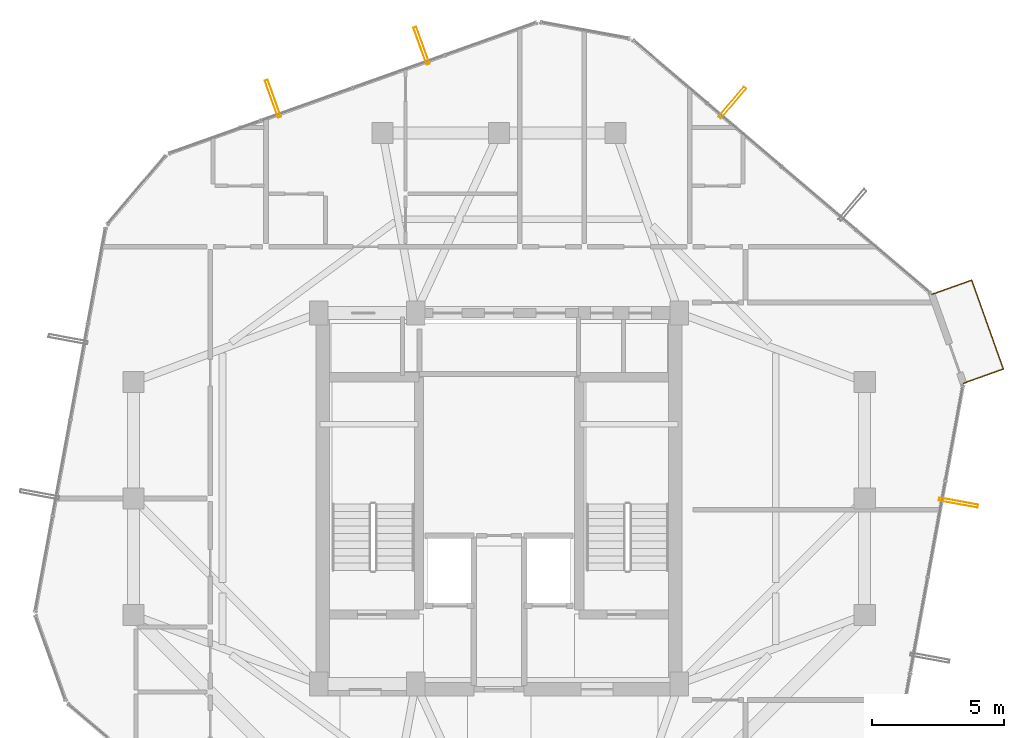
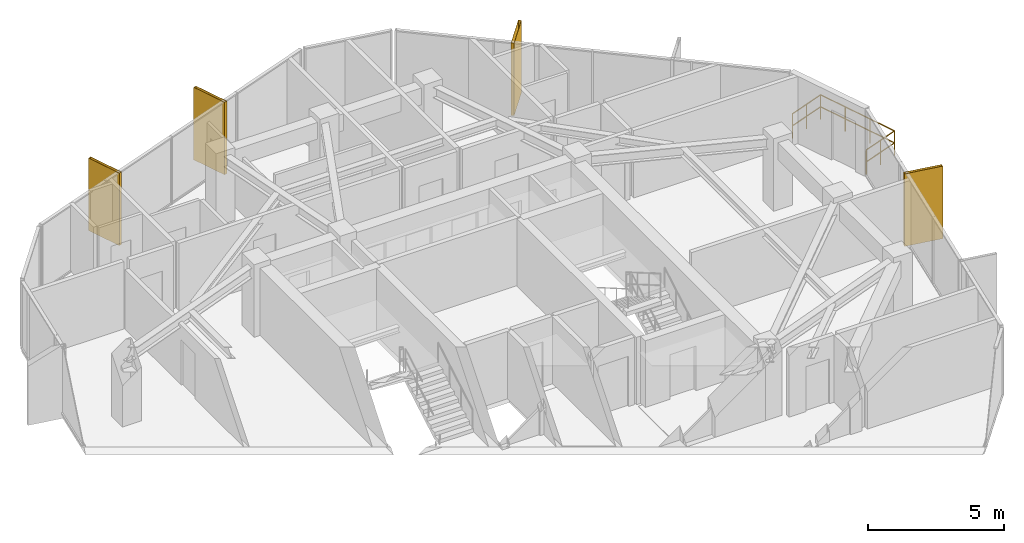
# One storey, part 29 of 29: 4 shading devices, 1 railing.
"""IFC4 building model written with IfcOpenShell, lengths in metres."""

from ifc_helpers import new_model, si_unit, direction, frame, origin, origin_2d, place, context, subcontext, project, spatial, hollow_rectangle, circle, extrude, material, material_profile, profile_set, type_object, element, save


model = new_model("IFC4")

# Units and contexts
model_context = context("Model", 3, precision=1e-05, world=origin(), true_north=direction((0.0, 1.0)))
body_context = subcontext(model_context, "Body", "Model", "MODEL_VIEW")
ifc_project = project(units=[si_unit("LENGTHUNIT", "METRE"), si_unit("AREAUNIT", "SQUARE_METRE"), si_unit("VOLUMEUNIT", "CUBIC_METRE"), si_unit("PLANEANGLEUNIT", "RADIAN"), si_unit("MASSUNIT", "GRAM", prefix="KILO")], contexts=[model_context])

# Site, building, storey
site_placement = place(None, origin())
site = spatial("IfcSite", under=ifc_project, at=site_placement, CompositionType="ELEMENT")
building_placement = place(site_placement, origin())
building = spatial("IfcBuilding", under=site, at=building_placement, Name="Veraguas Prism Commons", CompositionType="ELEMENT")
storey_placement = place(building_placement, frame((0.0, 0.0, 244.75)))
storey = spatial("IfcBuildingStorey", under=building, at=storey_placement, Name="L69", CompositionType="ELEMENT", Elevation=244.75)

# Shading devices
ifc_material_1 = material(Name="Anodised aluminium EN AW-6063 T6", Category="aluminium")
ifc_material_profile = material_profile(ifc_material_1, hollow_rectangle(XDim=0.1201171875, YDim=1.489990234375, WallThickness=0.006103515625, at=origin_2d()), Name="FIN120X1490X6")
ifc_profile_set = profile_set([ifc_material_profile], Name="Anodised aluminium EN AW-6063 T6")
shading_device_type = type_object("IfcShadingDeviceType", Name="Deep Pale-Metal Vertical Solar Fin 120x1490", PredefinedType="USERDEFINED", material=ifc_profile_set)
for number, where, z_axis, x_axis, name in (
    (1, (32.80224609375, 38.936279296875, -0.215087890625), (0.0, 0.0, 1.0), (-0.761538307537, 0.648119901063, 0.0), "Vertical Pale-Metal Solar Fin L69-F1B"),
    (2, (21.075439453125, 41.088623046875, -0.215087890625), (0.0, 0.0, 1.0), (-0.942056281835, -0.335454858149, 0.0), "Vertical Pale-Metal Solar Fin L69-F2A"),
    (3, (15.4658203125, 39.091064453125, -0.215087890625), (0.0, 0.0, 1.0), (-0.942056281835, -0.335454858149, 0.0), "Vertical Pale-Metal Solar Fin L69-F2B"),
    (4, (41.336181640625, 23.84521484375, -0.215087890625), (0.0, 0.0, 1.0), (0.180519145251, 0.983571470813, 0.0), "Vertical Pale-Metal Solar Fin L69-F6B"),
):
    element("IfcShadingDevice", number, at=place(storey_placement, frame(where, z_axis=z_axis, x_axis=x_axis)), inside=storey, type_object=shading_device_type, Name=name, ObjectType="FIN", PredefinedType="USERDEFINED", context=body_context, shape_type="SweptSolid", body=[
        extrude(hollow_rectangle(XDim=0.1201171875, YDim=1.489990234375, WallThickness=0.006103515625, at=origin_2d()), origin(), (0.0, 0.0, 1.0), 3.25),
    ])

# Railing
ifc_material_2 = material(Name="Stainless steel AISI 316", Category="steel")
railing_type = type_object("IfcRailingType", Name="Loggia and Sky Pool Glazed Balustrade 1120", PredefinedType="BALUSTRADE", material=ifc_material_2)
railing_placement = place(storey_placement, frame((41.52783203125, 28.3505859375, 0.0)))
element("IfcRailing", 5, at=railing_placement, inside=storey, type_object=railing_type, Name="Recessed Corner Loggia L69-C1 Guard", PredefinedType="BALUSTRADE", context=body_context, shape_type="SweptSolid", body=[
    extrude(circle(Radius=0.02392578125, at=origin_2d()), frame((0.0, 0.0, 1.09619140625), z_axis=(0.942079752962, 0.335388936996, 0.0), x_axis=(-0.335388936996, 0.942079752962, 0.0)), (0.0, 0.0, 1.0), 1.60009765625),
    extrude(circle(Radius=0.02392578125, at=origin_2d()), frame((0.0, 0.0, 0.56005859375), z_axis=(0.942079752962, 0.335388936996, 0.0), x_axis=(-0.335388936996, 0.942079752962, 0.0)), (0.0, 0.0, 1.0), 1.60009765625),
    extrude(circle(Radius=0.02392578125, at=origin_2d()), frame((1.50732421875, 0.53662109375, 1.09619140625), z_axis=(-0.335446308428, 0.942059326243, 0.0), x_axis=(-0.942059326243, -0.335446308428, 0.0)), (0.0, 0.0, 1.0), 3.5625),
    extrude(circle(Radius=0.02392578125, at=origin_2d()), frame((1.50732421875, 0.53662109375, 0.56005859375), z_axis=(-0.335446308428, 0.942059326243, 0.0), x_axis=(-0.942059326243, -0.335446308428, 0.0)), (0.0, 0.0, 1.0), 3.5625),
    extrude(circle(Radius=0.02392578125, at=origin_2d()), frame((0.312255859375, 3.892822265625, 1.09619140625), z_axis=(-0.942031533442, -0.335524350832, 0.0), x_axis=(0.335524350832, -0.942031533442, 0.0)), (0.0, 0.0, 1.0), 1.60009765625),
    extrude(circle(Radius=0.02392578125, at=origin_2d()), frame((0.312255859375, 3.892822265625, 0.56005859375), z_axis=(-0.942031533442, -0.335524350832, 0.0), x_axis=(0.335524350832, -0.942031533442, 0.0)), (0.0, 0.0, 1.0), 1.60009765625),
    extrude(circle(Radius=0.02099609375, at=origin_2d()), origin(), (0.0, 0.0, 1.0), 1.072021484375),
    extrude(circle(Radius=0.02099609375, at=origin_2d()), frame((0.753662109375, 0.268310546875, 0.0)), (0.0, 0.0, 1.0), 1.072021484375),
    extrude(circle(Radius=0.02099609375, at=origin_2d()), frame((1.50732421875, 0.53662109375, 0.0)), (0.0, 0.0, 1.0), 1.072021484375),
    extrude(circle(Radius=0.02099609375, at=origin_2d()), frame((1.10888671875, 1.6552734375, 0.0)), (0.0, 0.0, 1.0), 1.072021484375),
    extrude(circle(Radius=0.02099609375, at=origin_2d()), frame((0.710693359375, 2.774169921875, 0.0)), (0.0, 0.0, 1.0), 1.072021484375),
    extrude(circle(Radius=0.02099609375, at=origin_2d()), frame((0.312255859375, 3.892822265625, 0.0)), (0.0, 0.0, 1.0), 1.072021484375),
    extrude(circle(Radius=0.02099609375, at=origin_2d()), frame((-0.44140625, 3.62451171875, 0.0)), (0.0, 0.0, 1.0), 1.072021484375),
    extrude(circle(Radius=0.02099609375, at=origin_2d()), frame((-1.195068359375, 3.35595703125, 0.0)), (0.0, 0.0, 1.0), 1.072021484375),
])

save(model, "model.ifc")
